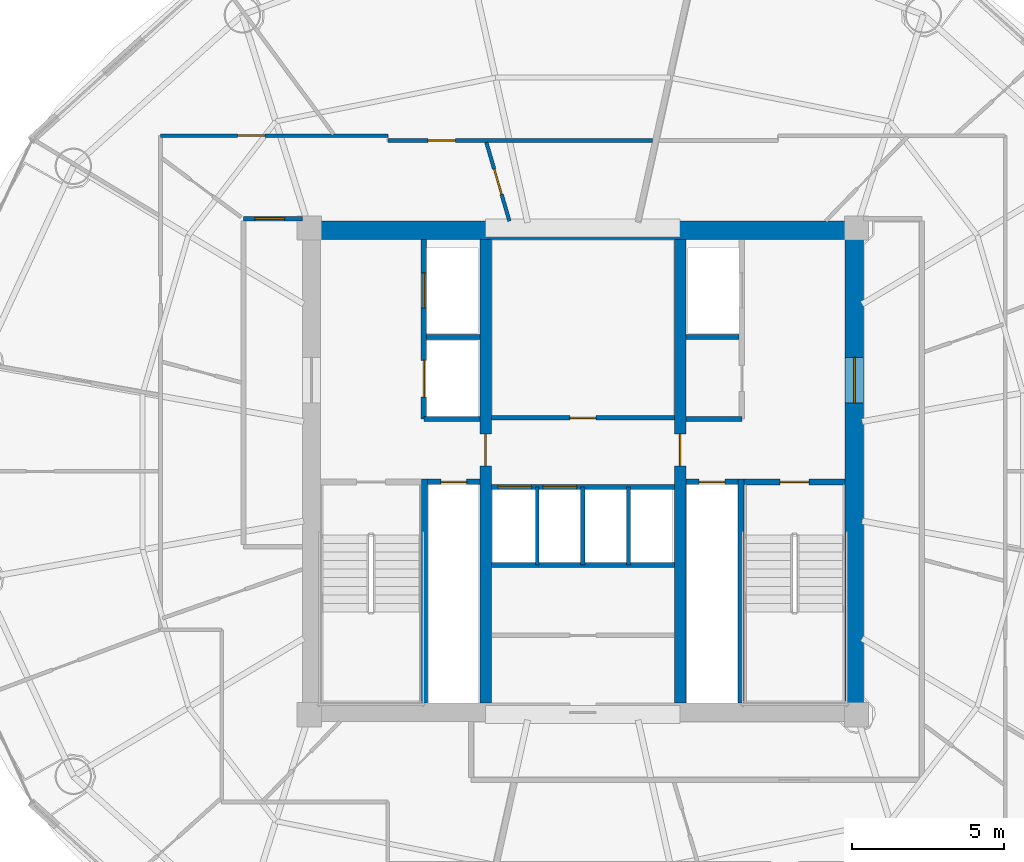
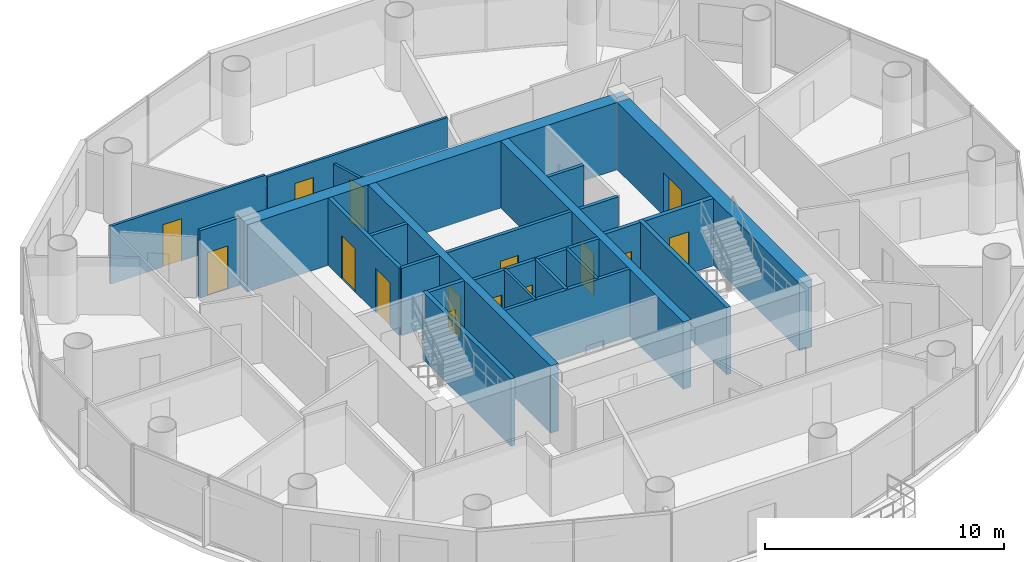
# One storey, part 21 of 26: 24 walls, 15 doors, 15 openings.
"""IFC4 building model written with IfcOpenShell, lengths in metres."""

from ifc_helpers import new_model, si_unit, direction, frame, frame_2d, origin, place, context, subcontext, project, spatial, rectangle, extrude, source, transform, mapped, material, layer, layer_set, type_object, element, fill, save


model = new_model("IFC4")

# Units and contexts
model_context = context("Model", 3, precision=1e-05, world=origin(), true_north=direction((-0.2419218956, 0.970295726276)))
body_context = subcontext(model_context, "Body", "Model", "MODEL_VIEW")
ifc_project = project(units=[si_unit("LENGTHUNIT", "METRE"), si_unit("AREAUNIT", "SQUARE_METRE"), si_unit("VOLUMEUNIT", "CUBIC_METRE"), si_unit("PLANEANGLEUNIT", "RADIAN"), si_unit("MASSUNIT", "GRAM", prefix="KILO")], contexts=[model_context])

# Site, building, storey
site_placement = place(None, origin())
site = spatial("IfcSite", under=ifc_project, at=site_placement, CompositionType="ELEMENT")
building_placement = place(site_placement, origin())
building = spatial("IfcBuilding", under=site, at=building_placement, Name="Cobrevalo Terracotta Tower", CompositionType="ELEMENT")
storey_placement = place(building_placement, frame((0.0, 0.0, 224.5)))
storey = spatial("IfcBuildingStorey", under=building, at=storey_placement, Name="L59", CompositionType="ELEMENT", Elevation=224.5)

# Wall
ifc_material_1 = material(Name="Concrete C55", Category="concrete")
ifc_layer_1 = layer(ifc_material_1, 0.60009765625)
ifc_layer_set_1 = layer_set([ifc_layer_1], Name="Concrete C55")
wall_type_1 = type_object("IfcWallType", Name="Core shear wall 600 mm Concrete C55", PredefinedType="SHEAR", material=ifc_layer_set_1)
wall_1_placement = place(storey_placement, frame((28.77490234375, 34.72509765625, 0.0), z_axis=(0.0, 0.0, 1.0), x_axis=(1.0, 0.0, 0.0)))
element("IfcWall", 1, at=wall_1_placement, inside=storey, type_object=wall_type_1, Name="L59 north core shear wall", PredefinedType="SHEAR", context=body_context, shape_type="SweptSolid", body=[
    extrude(rectangle(XDim=18.4501953125, YDim=0.60009765625, at=frame_2d((9.22509765625, 0.0))), origin(), (0.0, 0.0, 1.0), 3.43505859375),
])

# Wall, opening, door
wall_2_placement = place(storey_placement, frame((46.925048828125, 19.175048828125, 0.0), z_axis=(0.0, 0.0, 1.0), x_axis=(0.0, 1.0, 0.0)))
wall_2 = element("IfcWall", 2, at=wall_2_placement, inside=storey, type_object=wall_type_1, Name="L59 east core shear wall", PredefinedType="SHEAR", context=body_context, shape_type="SweptSolid", body=[
    extrude(rectangle(XDim=15.25, YDim=0.60009765625, at=frame_2d((7.625, 0.0))), origin(), (0.0, 0.0, 1.0), 3.43505859375),
])
opening_1_placement = place(wall_2_placement, frame((9.875, 0.0, 0.0)))
opening_1 = element("IfcOpeningElement", 3, at=opening_1_placement, cuts=wall_2, Name="Opening ID-14", PredefinedType="OPENING", context=body_context, shape_type="SweptSolid", body=[
    extrude(rectangle(XDim=1.5, YDim=2.199951171875, at=frame_2d((0.75, 1.10009765625))), frame((0.0, 0.31005859375, 0.0), z_axis=(0.0, -1.0, 0.0), x_axis=(1.0, 0.0, 0.0)), (0.0, 0.0, 1.0), 0.6201171875),
])
ifc_material_2 = material(Name="Galvanized fire-rated steel", Category="steel")
door_type_1 = type_object("IfcDoorType", Name="Core cross-lobby double fire door 1500x2200 EI 90", OperationType="NOTDEFINED", PredefinedType="DOOR", material=ifc_material_2)
shared_shape_1 = source(origin(), body_context, "Body", "SweptSolid", [
    extrude(rectangle(XDim=1.5, YDim=2.199951171875, at=frame_2d((0.75, 1.10009765625))), frame((0.0, 0.02490234375, 0.0), z_axis=(0.0, -1.0, 0.0), x_axis=(1.0, 0.0, 0.0)), (0.0, 0.0, 1.0), 0.050048828125),
])
door_1_placement = place(opening_1_placement, frame((1.5, 0.0, 0.0), z_axis=(0.0, 0.0, 1.0), x_axis=(-1.0, 0.0, 0.0)))
door_1 = element("IfcDoor", 4, at=door_1_placement, inside=storey, type_object=door_type_1, Name="L59 east firefighting lobby entrance door", OperationType="DOUBLE_DOOR_SINGLE_SWING", OverallHeight=2.199951171875, OverallWidth=1.5, PredefinedType="DOOR", context=body_context, shape_type="MappedRepresentation", body=[
    mapped(shared_shape_1, transform((0.0, 0.0, 0.0), scale=1.0)),
])
fill(opening_1, door_1)

# Walls
ifc_material_3 = material(Name="Gypsum board on steel stud", Category="steel")
ifc_layer_2 = layer(ifc_material_3, 0.159912109375)
ifc_layer_set_2 = layer_set([ifc_layer_2], Name="Gypsum board on steel stud")
wall_type_2 = type_object("IfcWallType", Name="Fire-rated corridor acoustic partition wall 160 mm", PredefinedType="PARTITIONING", material=ifc_layer_set_2)
wall_3_placement = place(storey_placement, frame((32.860107421875, 31.219970703125, 0.0), z_axis=(0.0, 0.0, 1.0), x_axis=(1.0, 0.0, 0.0)))
element("IfcWall", 5, at=wall_3_placement, inside=storey, type_object=wall_type_2, Name="L59 interior partition IW-L59-FF1-M", PredefinedType="PARTITIONING", context=body_context, shape_type="SweptSolid", body=[
    extrude(rectangle(XDim=1.75, YDim=0.159912109375, at=frame_2d((0.875, 0.0))), origin(), (0.0, 0.0, 1.0), 3.43505859375),
])
wall_4_placement = place(storey_placement, frame((32.77001953125, 28.52001953125, 0.0), z_axis=(0.0, 0.0, 1.0), x_axis=(1.0, 0.0, 0.0)))
element("IfcWall", 6, at=wall_4_placement, inside=storey, type_object=wall_type_2, Name="L59 interior partition IW-L59-FF1-S", PredefinedType="PARTITIONING", context=body_context, shape_type="SweptSolid", body=[
    extrude(rectangle(XDim=1.840087890625, YDim=0.159912109375, at=frame_2d((0.919921875, 0.0))), origin(), (0.0, 0.0, 1.0), 3.43505859375),
])
wall_5_placement = place(storey_placement, frame((41.389892578125, 31.219970703125, 0.0), z_axis=(0.0, 0.0, 1.0), x_axis=(1.0, 0.0, 0.0)))
element("IfcWall", 7, at=wall_5_placement, inside=storey, type_object=wall_type_2, Name="L59 interior partition IW-L59-FF2-M", PredefinedType="PARTITIONING", context=body_context, shape_type="SweptSolid", body=[
    extrude(rectangle(XDim=1.75, YDim=0.159912109375, at=frame_2d((0.875, 0.0))), origin(), (0.0, 0.0, 1.0), 3.43505859375),
])
wall_6_placement = place(storey_placement, frame((41.389892578125, 28.52001953125, 0.0), z_axis=(0.0, 0.0, 1.0), x_axis=(1.0, 0.0, 0.0)))
element("IfcWall", 8, at=wall_6_placement, inside=storey, type_object=wall_type_2, Name="L59 interior partition IW-L59-FF2-S", PredefinedType="PARTITIONING", context=body_context, shape_type="SweptSolid", body=[
    extrude(rectangle(XDim=1.840087890625, YDim=0.159912109375, at=frame_2d((0.919921875, 0.0))), origin(), (0.0, 0.0, 1.0), 3.43505859375),
])

# Wall, opening, door
wall_7_placement = place(storey_placement, frame((34.989990234375, 28.56005859375, 0.0), z_axis=(0.0, 0.0, 1.0), x_axis=(1.0, 0.0, 0.0)))
wall_7 = element("IfcWall", 9, at=wall_7_placement, inside=storey, type_object=wall_type_2, Name="L59 interior partition IW-L59-LB-S", PredefinedType="PARTITIONING", context=body_context, shape_type="SweptSolid", body=[
    extrude(rectangle(XDim=6.02001953125, YDim=0.159912109375, at=frame_2d((3.010009765625, 0.0))), origin(), (0.0, 0.0, 1.0), 3.43505859375),
])
opening_2_placement = place(wall_7_placement, frame((2.5849609375, 0.0, 0.0)))
opening_2 = element("IfcOpeningElement", 10, at=opening_2_placement, cuts=wall_7, Name="Opening ID-22", PredefinedType="OPENING", context=body_context, shape_type="SweptSolid", body=[
    extrude(rectangle(XDim=0.85009765625, YDim=2.10009765625, at=frame_2d((0.425048828125, 1.050048828125))), frame((0.0, 0.08984375, 0.0), z_axis=(0.0, -1.0, 0.0), x_axis=(1.0, 0.0, 0.0)), (0.0, 0.0, 1.0), 0.179931640625),
])
ifc_material_4 = material(Name="Powder-coated steel", Category="steel")
door_type_2 = type_object("IfcDoorType", Name="Riser shaft & meter closet fire access door 850x2100 EI 60", OperationType="NOTDEFINED", PredefinedType="DOOR", material=ifc_material_4)
shared_shape_2 = source(origin(), body_context, "Body", "SweptSolid", [
    extrude(rectangle(XDim=0.85009765625, YDim=2.10009765625, at=frame_2d((0.425048828125, 1.050048828125))), frame((0.0, 0.02490234375, 0.0), z_axis=(0.0, -1.0, 0.0), x_axis=(1.0, 0.0, 0.0)), (0.0, 0.0, 1.0), 0.050048828125),
])
door_2_placement = place(opening_2_placement, origin())
door_2 = element("IfcDoor", 11, at=door_2_placement, inside=storey, type_object=door_type_2, Name="L59 core service door Floor Electrical Switchroom", OperationType="SINGLE_SWING_LEFT", OverallHeight=2.10009765625, OverallWidth=0.85009765625, PredefinedType="DOOR", context=body_context, shape_type="MappedRepresentation", body=[
    mapped(shared_shape_2, transform((0.0, 0.0, 0.0), scale=1.0)),
])
fill(opening_2, door_2)

# Wall, openings, doors
wall_8_placement = place(storey_placement, frame((34.989990234375, 26.280029296875, 0.0), z_axis=(0.0, 0.0, 1.0), x_axis=(1.0, 0.0, 0.0)))
wall_8 = element("IfcWall", 12, at=wall_8_placement, inside=storey, type_object=wall_type_2, Name="L59 interior partition IW-L59-MB-N", PredefinedType="PARTITIONING", context=body_context, shape_type="SweptSolid", body=[
    extrude(rectangle(XDim=6.02001953125, YDim=0.159912109375, at=frame_2d((3.010009765625, 0.0))), origin(), (0.0, 0.0, 1.0), 3.43505859375),
])
opening_3_placement = place(wall_8_placement, frame((0.22509765625, 0.0, 0.0)))
opening_3 = element("IfcOpeningElement", 13, at=opening_3_placement, cuts=wall_8, Name="Opening LD-01", PredefinedType="OPENING", context=body_context, shape_type="SweptSolid", body=[
    extrude(rectangle(XDim=1.10009765625, YDim=2.199951171875, at=frame_2d((0.550048828125, 1.10009765625))), frame((0.0, 0.08984375, 0.0), z_axis=(0.0, -1.0, 0.0), x_axis=(1.0, 0.0, 0.0)), (0.0, 0.0, 1.0), 0.179931640625),
])
opening_4_placement = place(wall_8_placement, frame((1.705078125, 0.0, 0.0)))
opening_4 = element("IfcOpeningElement", 14, at=opening_4_placement, cuts=wall_8, Name="Opening LD-01", PredefinedType="OPENING", context=body_context, shape_type="SweptSolid", body=[
    extrude(rectangle(XDim=1.10009765625, YDim=2.199951171875, at=frame_2d((0.550048828125, 1.10009765625))), frame((0.0, 0.08984375, 0.0), z_axis=(0.0, -1.0, 0.0), x_axis=(1.0, 0.0, 0.0)), (0.0, 0.0, 1.0), 0.179931640625),
])
ifc_material_5 = material(Name="Brushed stainless steel", Category="steel")
door_type_3 = type_object("IfcDoorType", Name="Passenger lift landing bi-parting sliding door 1100x2200 EI 90", OperationType="DOUBLE_DOOR_SLIDING", PredefinedType="DOOR", material=ifc_material_5)
shared_shape_3 = source(origin(), body_context, "Body", "SweptSolid", [
    extrude(rectangle(XDim=1.10009765625, YDim=2.199951171875, at=frame_2d((0.550048828125, 1.10009765625))), frame((0.0, 0.02490234375, 0.0), z_axis=(0.0, -1.0, 0.0), x_axis=(1.0, 0.0, 0.0)), (0.0, 0.0, 1.0), 0.050048828125),
])
door_3_placement = place(opening_3_placement, origin())
door_3 = element("IfcDoor", 15, at=door_3_placement, inside=storey, type_object=door_type_3, Name="L59 lift landing door PL-M1", OperationType="DOUBLE_DOOR_SLIDING", OverallHeight=2.199951171875, OverallWidth=1.10009765625, PredefinedType="DOOR", context=body_context, shape_type="MappedRepresentation", body=[
    mapped(shared_shape_3, transform((0.0, 0.0, 0.0), scale=1.0)),
])
fill(opening_3, door_3)
door_4_placement = place(opening_4_placement, origin())
door_4 = element("IfcDoor", 16, at=door_4_placement, inside=storey, type_object=door_type_3, Name="L59 lift landing door PL-M2", OperationType="DOUBLE_DOOR_SLIDING", OverallHeight=2.199951171875, OverallWidth=1.10009765625, PredefinedType="DOOR", context=body_context, shape_type="MappedRepresentation", body=[
    mapped(shared_shape_3, transform((0.0, 0.0, 0.0), scale=1.0)),
])
fill(opening_4, door_4)

# Wall
wall_9_placement = place(storey_placement, frame((34.989990234375, 23.719970703125, 0.0), z_axis=(0.0, 0.0, 1.0), x_axis=(1.0, 0.0, 0.0)))
element("IfcWall", 17, at=wall_9_placement, inside=storey, type_object=wall_type_2, Name="L59 interior partition IW-L59-MB-S", PredefinedType="PARTITIONING", context=body_context, shape_type="SweptSolid", body=[
    extrude(rectangle(XDim=6.02001953125, YDim=0.159912109375, at=frame_2d((3.010009765625, 0.0))), origin(), (0.0, 0.0, 1.0), 3.43505859375),
])

# Wall, opening, door
wall_10_placement = place(storey_placement, frame((26.844970703125, 35.10498046875, 0.0), z_axis=(0.0, 0.0, 1.0), x_axis=(1.0, 0.0, 0.0)))
wall_10 = element("IfcWall", 18, at=wall_10_placement, inside=storey, type_object=wall_type_2, Name="L59 interior partition IW-L59-COR-WN-CAP", PredefinedType="PARTITIONING", context=body_context, shape_type="SweptSolid", body=[
    extrude(rectangle(XDim=1.929931640625, YDim=0.159912109375, at=frame_2d((0.96484375, 0.0))), origin(), (0.0, 0.0, 1.0), 3.43505859375),
])
opening_5_placement = place(wall_10_placement, frame((0.3701171875, 0.0, 0.0)))
opening_5 = element("IfcOpeningElement", 19, at=opening_5_placement, cuts=wall_10, Name="Opening ID-05", PredefinedType="OPENING", context=body_context, shape_type="SweptSolid", body=[
    extrude(rectangle(XDim=0.97998046875, YDim=2.199951171875, at=frame_2d((0.489990234375, 1.10009765625))), frame((0.0, 0.08984375, 0.0), z_axis=(0.0, -1.0, 0.0), x_axis=(1.0, 0.0, 0.0)), (0.0, 0.0, 1.0), 0.179931640625),
])
ifc_material_6 = material(Name="Solid hardwood timber", Category="wood")
door_type_4 = type_object("IfcDoorType", Name="Residence entrance fire-rated acoustic timber door 980x2200 EI 60", OperationType="NOTDEFINED", PredefinedType="DOOR", material=ifc_material_6)
shared_shape_4 = source(origin(), body_context, "Body", "SweptSolid", [
    extrude(rectangle(XDim=0.97998046875, YDim=2.199951171875, at=frame_2d((0.489990234375, 1.10009765625))), frame((0.0, 0.02490234375, 0.0), z_axis=(0.0, -1.0, 0.0), x_axis=(1.0, 0.0, 0.0)), (0.0, 0.0, 1.0), 0.050048828125),
])
door_5_placement = place(opening_5_placement, origin())
door_5 = element("IfcDoor", 20, at=door_5_placement, inside=storey, type_object=door_type_4, Name="Flat L59A fire-rated apartment entrance door", OperationType="SINGLE_SWING_RIGHT", OverallHeight=2.199951171875, OverallWidth=0.97998046875, PredefinedType="DOOR", context=body_context, shape_type="MappedRepresentation", body=[
    mapped(shared_shape_4, transform((0.0, 0.0, 0.0), scale=1.0)),
])
fill(opening_5, door_5)

ifc_layer_3 = layer(ifc_material_3, 0.179931640625)
ifc_layer_set_3 = layer_set([ifc_layer_3], Name="Gypsum board on steel stud")
wall_type_3 = type_object("IfcWallType", Name="Fire-rated shaft & lobby acoustic partition wall 180 mm", PredefinedType="PARTITIONING", material=ifc_layer_set_3)
wall_11_placement = place(storey_placement, frame((32.89990234375, 26.449951171875, 0.0), z_axis=(0.0, 0.0, 1.0), x_axis=(1.0, 0.0, 0.0)))
wall_11 = element("IfcWall", 21, at=wall_11_placement, inside=storey, type_object=wall_type_3, Name="L59 interior partition IW-L59-RSW-N", PredefinedType="PARTITIONING", context=body_context, shape_type="SweptSolid", body=[
    extrude(rectangle(XDim=1.710205078125, YDim=0.179931640625, at=frame_2d((0.85498046875, 0.0))), origin(), (0.0, 0.0, 1.0), 3.43505859375),
])
opening_6_placement = place(wall_11_placement, frame((0.429931640625, 0.0, 0.0)))
opening_6 = element("IfcOpeningElement", 22, at=opening_6_placement, cuts=wall_11, Name="Opening ID-22", PredefinedType="OPENING", context=body_context, shape_type="SweptSolid", body=[
    extrude(rectangle(XDim=0.85009765625, YDim=2.10009765625, at=frame_2d((0.425048828125, 1.050048828125))), frame((0.0, 0.10009765625, 0.0), z_axis=(0.0, -1.0, 0.0), x_axis=(1.0, 0.0, 0.0)), (0.0, 0.0, 1.0), 0.199951171875),
])
door_6_placement = place(opening_6_placement, origin())
door_6 = element("IfcDoor", 23, at=door_6_placement, inside=storey, type_object=door_type_2, Name="L59 riser access door RSW", OperationType="SINGLE_SWING_LEFT", OverallHeight=2.10009765625, OverallWidth=0.85009765625, PredefinedType="DOOR", context=body_context, shape_type="MappedRepresentation", body=[
    mapped(shared_shape_2, transform((0.0, 0.0, 0.0), scale=1.0)),
])
fill(opening_6, door_6)

wall_12_placement = place(storey_placement, frame((41.389892578125, 26.449951171875, 0.0), z_axis=(0.0, 0.0, 1.0), x_axis=(1.0, 0.0, 0.0)))
wall_12 = element("IfcWall", 24, at=wall_12_placement, inside=storey, type_object=wall_type_3, Name="L59 interior partition IW-L59-RSE-N", PredefinedType="PARTITIONING", context=body_context, shape_type="SweptSolid", body=[
    extrude(rectangle(XDim=1.710205078125, YDim=0.179931640625, at=frame_2d((0.85498046875, 0.0))), origin(), (0.0, 0.0, 1.0), 3.43505859375),
])
opening_7_placement = place(wall_12_placement, frame((0.429931640625, 0.0, 0.0)))
opening_7 = element("IfcOpeningElement", 25, at=opening_7_placement, cuts=wall_12, Name="Opening ID-22", PredefinedType="OPENING", context=body_context, shape_type="SweptSolid", body=[
    extrude(rectangle(XDim=0.85009765625, YDim=2.10009765625, at=frame_2d((0.425048828125, 1.050048828125))), frame((0.0, 0.10009765625, 0.0), z_axis=(0.0, -1.0, 0.0), x_axis=(1.0, 0.0, 0.0)), (0.0, 0.0, 1.0), 0.199951171875),
])
door_7_placement = place(opening_7_placement, origin())
door_7 = element("IfcDoor", 26, at=door_7_placement, inside=storey, type_object=door_type_2, Name="L59 riser access door RSE", OperationType="SINGLE_SWING_RIGHT", OverallHeight=2.10009765625, OverallWidth=0.85009765625, PredefinedType="DOOR", context=body_context, shape_type="MappedRepresentation", body=[
    mapped(shared_shape_2, transform((0.0, 0.0, 0.0), scale=1.0)),
])
fill(opening_7, door_7)

# Wall, openings, doors
wall_13_placement = place(storey_placement, frame((32.77001953125, 28.52001953125, 0.0), z_axis=(0.0, 0.0, 1.0), x_axis=(0.0, 1.0, 0.0)))
wall_13 = element("IfcWall", 27, at=wall_13_placement, inside=storey, type_object=wall_type_3, Name="L59 interior partition IW-L59-FF1-W", PredefinedType="PARTITIONING", context=body_context, shape_type="SweptSolid", body=[
    extrude(rectangle(XDim=5.905029296875, YDim=0.179931640625, at=frame_2d((2.95263671875, 0.0))), origin(), (0.0, 0.0, 1.0), 3.43505859375),
])
opening_8_placement = place(wall_13_placement, frame((3.655029296875, 0.0, 0.0)))
opening_8 = element("IfcOpeningElement", 28, at=opening_8_placement, cuts=wall_13, Name="Opening LD-02", PredefinedType="OPENING", context=body_context, shape_type="SweptSolid", body=[
    extrude(rectangle(XDim=1.14990234375, YDim=2.199951171875, at=frame_2d((0.574951171875, 1.10009765625))), frame((0.0, 0.10009765625, 0.0), z_axis=(0.0, -1.0, 0.0), x_axis=(1.0, 0.0, 0.0)), (0.0, 0.0, 1.0), 0.199951171875),
])
opening_9_placement = place(wall_13_placement, frame((0.72998046875, 0.0, 0.0)))
opening_9 = element("IfcOpeningElement", 29, at=opening_9_placement, cuts=wall_13, Name="Opening LD-03", PredefinedType="OPENING", context=body_context, shape_type="SweptSolid", body=[
    extrude(rectangle(XDim=1.199951171875, YDim=2.25, at=frame_2d((0.60009765625, 1.125))), frame((0.0, 0.10009765625, 0.0), z_axis=(0.0, -1.0, 0.0), x_axis=(1.0, 0.0, 0.0)), (0.0, 0.0, 1.0), 0.199951171875),
])
door_type_5 = type_object("IfcDoorType", Name="Firefighting lift landing bi-parting sliding door 1150x2200 EI 120", OperationType="DOUBLE_DOOR_SLIDING", PredefinedType="DOOR", material=ifc_material_5)
shared_shape_5 = source(origin(), body_context, "Body", "SweptSolid", [
    extrude(rectangle(XDim=1.14990234375, YDim=2.199951171875, at=frame_2d((0.574951171875, 1.10009765625))), frame((0.0, 0.02490234375, 0.0), z_axis=(0.0, -1.0, 0.0), x_axis=(1.0, 0.0, 0.0)), (0.0, 0.0, 1.0), 0.050048828125),
])
door_8_placement = place(opening_8_placement, origin())
door_8 = element("IfcDoor", 30, at=door_8_placement, inside=storey, type_object=door_type_5, Name="L59 lift landing door FF-1", OperationType="DOUBLE_DOOR_SLIDING", OverallHeight=2.199951171875, OverallWidth=1.14990234375, PredefinedType="DOOR", context=body_context, shape_type="MappedRepresentation", body=[
    mapped(shared_shape_5, transform((0.0, 0.0, 0.0), scale=1.0)),
])
fill(opening_8, door_8)
door_type_6 = type_object("IfcDoorType", Name="Service lift landing bi-parting sliding door 1200x2250 EI 120", OperationType="DOUBLE_DOOR_SLIDING", PredefinedType="DOOR", material=ifc_material_5)
shared_shape_6 = source(origin(), body_context, "Body", "SweptSolid", [
    extrude(rectangle(XDim=1.199951171875, YDim=2.25, at=frame_2d((0.60009765625, 1.125))), frame((0.0, 0.02490234375, 0.0), z_axis=(0.0, -1.0, 0.0), x_axis=(1.0, 0.0, 0.0)), (0.0, 0.0, 1.0), 0.050048828125),
])
door_9_placement = place(opening_9_placement, origin())
door_9 = element("IfcDoor", 31, at=door_9_placement, inside=storey, type_object=door_type_6, Name="L59 lift landing door SV-1", OperationType="DOUBLE_DOOR_SLIDING", OverallHeight=2.25, OverallWidth=1.199951171875, PredefinedType="DOOR", context=body_context, shape_type="MappedRepresentation", body=[
    mapped(shared_shape_6, transform((0.0, 0.0, 0.0), scale=1.0)),
])
fill(opening_9, door_9)

# Walls
ifc_material_7 = material(Name="Autoclaved aerated concrete block", Category="concrete")
ifc_layer_4 = layer(ifc_material_7, 0.1201171875)
ifc_layer_set_4 = layer_set([ifc_layer_4], Name="Autoclaved aerated concrete block")
wall_type_4 = type_object("IfcWallType", Name="Fire-rated wet-room & core service partition 120 mm", PredefinedType="PARTITIONING", material=ifc_layer_set_4)
for number, where, z_axis, x_axis, name in (
    (32, (36.5, 23.719970703125, 0.0), (0.0, 0.0, 1.0), (0.0, 1.0, 0.0), "L59 interior partition IW-L59-MB-D1"),
    (33, (39.5, 23.719970703125, 0.0), (0.0, 0.0, 1.0), (0.0, 1.0, 0.0), "L59 interior partition IW-L59-MB-D3"),
):
    element("IfcWall", number, at=place(storey_placement, frame(where, z_axis=z_axis, x_axis=x_axis)), inside=storey, type_object=wall_type_4, Name=name, PredefinedType="PARTITIONING", context=body_context, shape_type="SweptSolid", body=[
        extrude(rectangle(XDim=2.56005859375, YDim=0.1201171875, at=frame_2d((1.280029296875, 0.0))), origin(), (0.0, 0.0, 1.0), 3.43505859375),
    ])

# Wall, opening, door
ifc_material_8 = material(Name="Concrete C50", Category="concrete")
ifc_layer_5 = layer(ifc_material_8, 0.3798828125)
ifc_layer_set_5 = layer_set([ifc_layer_5], Name="Concrete C50")
wall_type_5 = type_object("IfcWallType", Name="Internal core shear web wall 380 mm Concrete C50", PredefinedType="SHEAR", material=ifc_layer_set_5)
wall_14_placement = place(storey_placement, frame((34.800048828125, 19.175048828125, 0.0), z_axis=(0.0, 0.0, 1.0), x_axis=(0.0, 1.0, 0.0)))
wall_14 = element("IfcWall", 34, at=wall_14_placement, inside=storey, type_object=wall_type_5, Name="L59 internal core shear wall WEB-W", PredefinedType="SHEAR", context=body_context, shape_type="SweptSolid", body=[
    extrude(rectangle(XDim=15.25, YDim=0.3798828125, at=frame_2d((7.625, 0.0))), origin(), (0.0, 0.0, 1.0), 3.43505859375),
])
opening_10_placement = place(wall_14_placement, frame((7.800048828125, 0.0, 0.0)))
opening_10 = element("IfcOpeningElement", 35, at=opening_10_placement, cuts=wall_14, Name="Opening ID-11", PredefinedType="OPENING", context=body_context, shape_type="SweptSolid", body=[
    extrude(rectangle(XDim=1.050048828125, YDim=2.14990234375, at=frame_2d((0.52490234375, 1.074951171875))), frame((0.0, 0.199951171875, 0.0), z_axis=(0.0, -1.0, 0.0), x_axis=(1.0, 0.0, 0.0)), (0.0, 0.0, 1.0), 0.39990234375),
])
door_type_7 = type_object("IfcDoorType", Name="Core concourse cross fire door 1050x2150 EI 90", OperationType="NOTDEFINED", PredefinedType="DOOR", material=ifc_material_2)
shared_shape_7 = source(origin(), body_context, "Body", "SweptSolid", [
    extrude(rectangle(XDim=1.050048828125, YDim=2.14990234375, at=frame_2d((0.52490234375, 1.074951171875))), frame((0.0, 0.02490234375, 0.0), z_axis=(0.0, -1.0, 0.0), x_axis=(1.0, 0.0, 0.0)), (0.0, 0.0, 1.0), 0.050048828125),
])
door_10_placement = place(opening_10_placement, origin())
door_10 = element("IfcDoor", 36, at=door_10_placement, inside=storey, type_object=door_type_7, Name="L59 west core concourse cross door", OperationType="SINGLE_SWING_LEFT", OverallHeight=2.14990234375, OverallWidth=1.050048828125, PredefinedType="DOOR", context=body_context, shape_type="MappedRepresentation", body=[
    mapped(shared_shape_7, transform((0.0, 0.0, 0.0), scale=1.0)),
])
fill(opening_10, door_10)

wall_15_placement = place(storey_placement, frame((41.199951171875, 19.175048828125, 0.0), z_axis=(0.0, 0.0, 1.0), x_axis=(0.0, 1.0, 0.0)))
wall_15 = element("IfcWall", 37, at=wall_15_placement, inside=storey, type_object=wall_type_5, Name="L59 internal core shear wall WEB-E", PredefinedType="SHEAR", context=body_context, shape_type="SweptSolid", body=[
    extrude(rectangle(XDim=15.25, YDim=0.3798828125, at=frame_2d((7.625, 0.0))), origin(), (0.0, 0.0, 1.0), 3.43505859375),
])
opening_11_placement = place(wall_15_placement, frame((7.800048828125, 0.0, 0.0)))
opening_11 = element("IfcOpeningElement", 38, at=opening_11_placement, cuts=wall_15, Name="Opening ID-11", PredefinedType="OPENING", context=body_context, shape_type="SweptSolid", body=[
    extrude(rectangle(XDim=1.050048828125, YDim=2.14990234375, at=frame_2d((0.52490234375, 1.074951171875))), frame((0.0, 0.199951171875, 0.0), z_axis=(0.0, -1.0, 0.0), x_axis=(1.0, 0.0, 0.0)), (0.0, 0.0, 1.0), 0.39990234375),
])
door_11_placement = place(opening_11_placement, frame((1.050048828125, 0.0, 0.0), z_axis=(0.0, 0.0, 1.0), x_axis=(-1.0, 0.0, 0.0)))
door_11 = element("IfcDoor", 39, at=door_11_placement, inside=storey, type_object=door_type_7, Name="L59 east core concourse cross door", OperationType="SINGLE_SWING_RIGHT", OverallHeight=2.14990234375, OverallWidth=1.050048828125, PredefinedType="DOOR", context=body_context, shape_type="MappedRepresentation", body=[
    mapped(shared_shape_7, transform((0.0, 0.0, 0.0), scale=1.0)),
])
fill(opening_11, door_11)

# Wall
ifc_layer_6 = layer(ifc_material_7, 0.139892578125)
ifc_layer_set_6 = layer_set([ifc_layer_6], Name="Autoclaved aerated concrete block")
wall_type_6 = type_object("IfcWallType", Name="Moisture-resistant wet-room & core service partition 140 mm", PredefinedType="PARTITIONING", material=ifc_layer_set_6)
wall_16_placement = place(storey_placement, frame((38.0, 23.719970703125, 0.0), z_axis=(0.0, 0.0, 1.0), x_axis=(0.0, 1.0, 0.0)))
element("IfcWall", 40, at=wall_16_placement, inside=storey, type_object=wall_type_6, Name="L59 interior partition IW-L59-MB-D2", PredefinedType="PARTITIONING", context=body_context, shape_type="SweptSolid", body=[
    extrude(rectangle(XDim=2.56005859375, YDim=0.139892578125, at=frame_2d((1.280029296875, 0.0))), origin(), (0.0, 0.0, 1.0), 3.43505859375),
])

# Wall, opening, door
ifc_layer_7 = layer(ifc_material_3, 0.1201171875)
ifc_layer_set_7 = layer_set([ifc_layer_7], Name="Gypsum board on steel stud")
wall_type_7 = type_object("IfcWallType", Name="Residential internal acoustic stud partition 120 mm", PredefinedType="PARTITIONING", material=ifc_layer_set_7)
wall_17_placement = place(storey_placement, frame((24.114990234375, 37.8349609375, 0.0), z_axis=(0.0, 0.0, 1.0), x_axis=(1.0, 0.0, 0.0)))
wall_17 = element("IfcWall", 41, at=wall_17_placement, inside=storey, type_object=wall_type_7, Name="L59 interior partition IW-L59-U1-RING6_0", PredefinedType="PARTITIONING", context=body_context, shape_type="SweptSolid", body=[
    extrude(rectangle(XDim=7.469970703125, YDim=0.1201171875, at=frame_2d((3.73486328125, 0.0))), origin(), (0.0, 0.0, 1.0), 2.950927734375),
])
opening_12_placement = place(wall_17_placement, frame((2.53271484375, 0.0, 0.0)))
opening_12 = element("IfcOpeningElement", 42, at=opening_12_placement, cuts=wall_17, Name="Opening ID-12", PredefinedType="OPENING", context=body_context, shape_type="SweptSolid", body=[
    extrude(rectangle(XDim=0.89990234375, YDim=2.14990234375, at=frame_2d((0.449951171875, 1.074951171875))), frame((0.0, 0.070068359375, 0.0), z_axis=(0.0, -1.0, 0.0), x_axis=(1.0, 0.0, 0.0)), (0.0, 0.0, 1.0), 0.14013671875),
])
ifc_material_9 = material(Name="Engineered timber", Category="wood")
door_type_8 = type_object("IfcDoorType", Name="Internal residence & suite timber door 900x2150", OperationType="NOTDEFINED", PredefinedType="DOOR", material=ifc_material_9)
shared_shape_8 = source(origin(), body_context, "Body", "SweptSolid", [
    extrude(rectangle(XDim=0.89990234375, YDim=2.14990234375, at=frame_2d((0.449951171875, 1.074951171875))), frame((0.0, 0.02490234375, 0.0), z_axis=(0.0, -1.0, 0.0), x_axis=(1.0, 0.0, 0.0)), (0.0, 0.0, 1.0), 0.050048828125),
])
door_12_placement = place(opening_12_placement, origin())
door_12 = element("IfcDoor", 43, at=door_12_placement, inside=storey, type_object=door_type_8, Name="Flat L59A Master Bedroom internal door", OperationType="SINGLE_SWING_LEFT", OverallHeight=2.14990234375, OverallWidth=0.89990234375, PredefinedType="DOOR", context=body_context, shape_type="MappedRepresentation", body=[
    mapped(shared_shape_8, transform((0.0, 0.0, 0.0), scale=1.0)),
])
fill(opening_12, door_12)

wall_18_placement = place(storey_placement, frame((31.5849609375, 37.675048828125, 0.0), z_axis=(0.0, 0.0, 1.0), x_axis=(1.0, 0.0, 0.0)))
wall_18 = element("IfcWall", 44, at=wall_18_placement, inside=storey, type_object=wall_type_7, Name="L59 interior partition IW-L59-U1-RING8_0", PredefinedType="PARTITIONING", context=body_context, shape_type="SweptSolid", body=[
    extrude(rectangle(XDim=8.706787109375, YDim=0.1201171875, at=frame_2d((4.353515625, 0.0))), origin(), (0.0, 0.0, 1.0), 2.950927734375),
])
opening_13_placement = place(wall_18_placement, frame((1.3271484375, 0.0, 0.0)))
opening_13 = element("IfcOpeningElement", 45, at=opening_13_placement, cuts=wall_18, Name="Opening ID-12", PredefinedType="OPENING", context=body_context, shape_type="SweptSolid", body=[
    extrude(rectangle(XDim=0.89990234375, YDim=2.14990234375, at=frame_2d((0.449951171875, 1.074951171875))), frame((0.0, 0.070068359375, 0.0), z_axis=(0.0, -1.0, 0.0), x_axis=(1.0, 0.0, 0.0)), (0.0, 0.0, 1.0), 0.14013671875),
])
door_13_placement = place(opening_13_placement, origin())
door_13 = element("IfcDoor", 46, at=door_13_placement, inside=storey, type_object=door_type_8, Name="Flat L59A Penthouse Living and Dining Room internal door", OperationType="SINGLE_SWING_RIGHT", OverallHeight=2.14990234375, OverallWidth=0.89990234375, PredefinedType="DOOR", context=body_context, shape_type="MappedRepresentation", body=[
    mapped(shared_shape_8, transform((0.0, 0.0, 0.0), scale=1.0)),
])
fill(opening_13, door_13)

wall_19_placement = place(storey_placement, frame((35.586181640625, 35.02685546875, 0.0), z_axis=(0.0, 0.0, 1.0), x_axis=(-0.281539118681, 0.959549751004, 0.0)))
wall_19 = element("IfcWall", 47, at=wall_19_placement, inside=storey, type_object=wall_type_7, Name="L59 interior partition IW-L59-U1-IRAD1", PredefinedType="PARTITIONING", context=body_context, shape_type="SweptSolid", body=[
    extrude(rectangle(XDim=2.69775390625, YDim=0.1201171875, at=frame_2d((1.348876953125, 0.0))), origin(), (0.0, 0.0, 1.0), 2.52001953125),
])
opening_14_placement = place(wall_19_placement, frame((0.9189453125, 0.0, 0.0)))
opening_14 = element("IfcOpeningElement", 48, at=opening_14_placement, cuts=wall_19, Name="Opening ID-19", PredefinedType="OPENING", context=body_context, shape_type="SweptSolid", body=[
    extrude(rectangle(XDim=0.860107421875, YDim=2.14990234375, at=frame_2d((0.43017578125, 1.074951171875))), frame((0.0, 0.070068359375, 0.0), z_axis=(0.0, -1.0, 0.0), x_axis=(1.0, 0.0, 0.0)), (0.0, 0.0, 1.0), 0.14013671875),
])
ifc_material_10 = material(Name="Moisture-sealed timber", Category="wood")
door_type_9 = type_object("IfcDoorType", Name="Suite bathroom internal timber door 860x2150", OperationType="NOTDEFINED", PredefinedType="DOOR", material=ifc_material_10)
shared_shape_9 = source(origin(), body_context, "Body", "SweptSolid", [
    extrude(rectangle(XDim=0.860107421875, YDim=2.14990234375, at=frame_2d((0.43017578125, 1.074951171875))), frame((0.0, 0.02490234375, 0.0), z_axis=(0.0, -1.0, 0.0), x_axis=(1.0, 0.0, 0.0)), (0.0, 0.0, 1.0), 0.050048828125),
])
door_14_placement = place(opening_14_placement, frame((0.860107421875, 0.0, 0.0), z_axis=(0.0, 0.0, 1.0), x_axis=(-1.0, 0.0, 0.0)))
door_14 = element("IfcDoor", 49, at=door_14_placement, inside=storey, type_object=door_type_9, Name="Flat L59A Primary Bathroom internal door", OperationType="SINGLE_SWING_LEFT", OverallHeight=2.14990234375, OverallWidth=0.860107421875, PredefinedType="DOOR", context=body_context, shape_type="MappedRepresentation", body=[
    mapped(shared_shape_9, transform((0.0, 0.0, 0.0), scale=1.0)),
])
fill(opening_14, door_14)

# Walls
ifc_layer_8 = layer(ifc_material_8, 0.199951171875)
ifc_layer_set_8 = layer_set([ifc_layer_8], Name="Concrete C50")
wall_type_8 = type_object("IfcWallType", Name="Structural core & podium stair-shaft RC wall 200 mm Concrete C50", PredefinedType="SOLIDWALL", material=ifc_layer_set_8)
for number, where, z_axis, x_axis, name in (
    (50, (32.794921875, 19.175048828125, 0.0), (0.0, 0.0, 1.0), (0.0, 1.0, 0.0), "L59 ST-1 east structural shaft wall"),
    (51, (43.205078125, 19.175048828125, 0.0), (0.0, 0.0, 1.0), (0.0, 1.0, 0.0), "L59 ST-2 west structural shaft wall"),
):
    element("IfcWall", number, at=place(storey_placement, frame(where, z_axis=z_axis, x_axis=x_axis)), inside=storey, type_object=wall_type_8, Name=name, PredefinedType="SOLIDWALL", context=body_context, shape_type="SweptSolid", body=[
        extrude(rectangle(XDim=7.375, YDim=0.199951171875, at=frame_2d((3.6875, 0.0))), origin(), (0.0, 0.0, 1.0), 3.43505859375),
    ])

# Wall, opening, door
wall_20_placement = place(storey_placement, frame((43.304931640625, 26.449951171875, 0.0), z_axis=(0.0, 0.0, 1.0), x_axis=(1.0, 0.0, 0.0)))
wall_20 = element("IfcWall", 52, at=wall_20_placement, inside=storey, type_object=wall_type_8, Name="L59 ST-2 north structural shaft wall", PredefinedType="SOLIDWALL", context=body_context, shape_type="SweptSolid", body=[
    extrude(rectangle(XDim=3.320068359375, YDim=0.199951171875, at=frame_2d((1.66015625, 0.0))), origin(), (0.0, 0.0, 1.0), 3.43505859375),
])
opening_15_placement = place(wall_20_placement, frame((1.18505859375, 0.0, 0.0)))
opening_15 = element("IfcOpeningElement", 53, at=opening_15_placement, cuts=wall_20, Name="Opening ID-04", PredefinedType="OPENING", context=body_context, shape_type="SweptSolid", body=[
    extrude(rectangle(XDim=0.949951171875, YDim=2.14990234375, at=frame_2d((0.47509765625, 1.074951171875))), frame((0.0, 0.10986328125, 0.0), z_axis=(0.0, -1.0, 0.0), x_axis=(1.0, 0.0, 0.0)), (0.0, 0.0, 1.0), 0.219970703125),
])
door_type_10 = type_object("IfcDoorType", Name="Stair & firefighting lobby fire door 950x2150 EI 90", OperationType="NOTDEFINED", PredefinedType="DOOR", material=ifc_material_2)
shared_shape_10 = source(origin(), body_context, "Body", "SweptSolid", [
    extrude(rectangle(XDim=0.949951171875, YDim=2.14990234375, at=frame_2d((0.47509765625, 1.074951171875))), frame((0.0, 0.02490234375, 0.0), z_axis=(0.0, -1.0, 0.0), x_axis=(1.0, 0.0, 0.0)), (0.0, 0.0, 1.0), 0.050048828125),
])
door_15_placement = place(opening_15_placement, frame((0.949951171875, 0.0, 0.0), z_axis=(0.0, 0.0, 1.0), x_axis=(-1.0, 0.0, 0.0)))
door_15 = element("IfcDoor", 54, at=door_15_placement, inside=storey, type_object=door_type_10, Name="L59 protected stair ST2 fire door", OperationType="SINGLE_SWING_RIGHT", OverallHeight=2.14990234375, OverallWidth=0.949951171875, PredefinedType="DOOR", context=body_context, shape_type="MappedRepresentation", body=[
    mapped(shared_shape_10, transform((0.0, 0.0, 0.0), scale=1.0)),
])
fill(opening_15, door_15)

save(model, "model.ifc")
